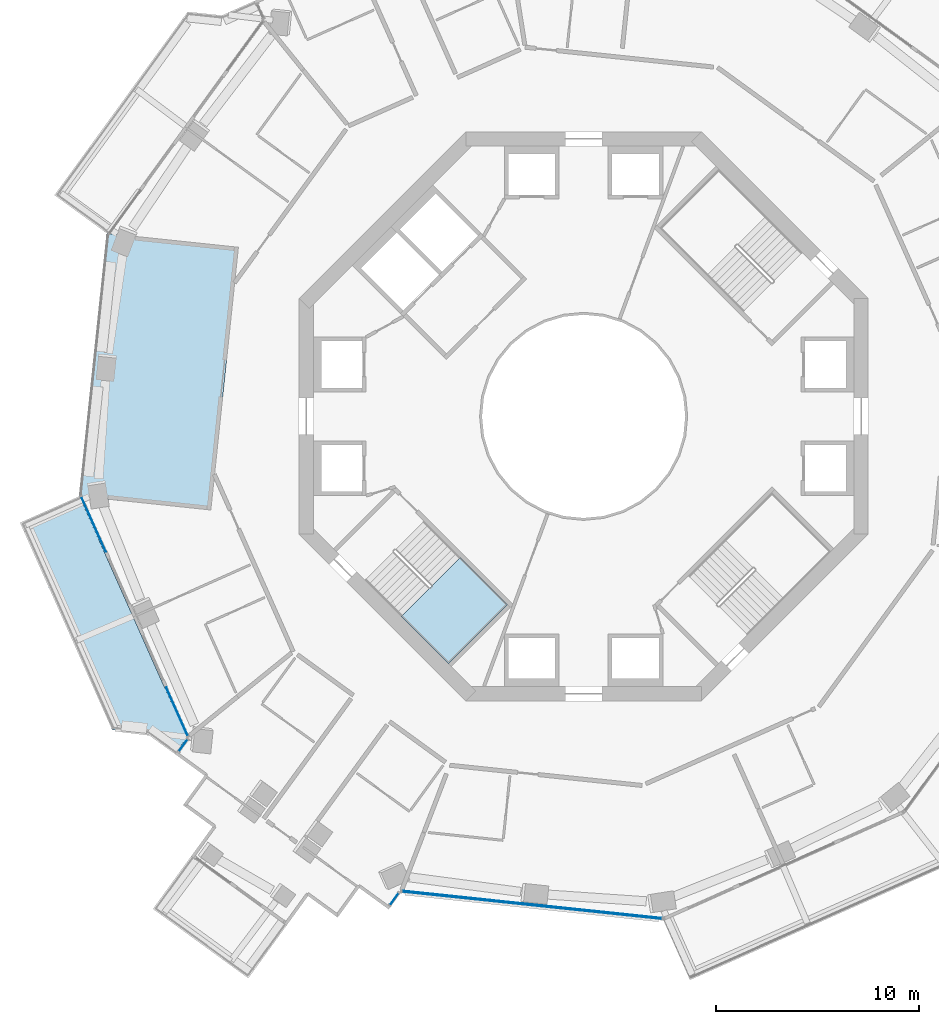
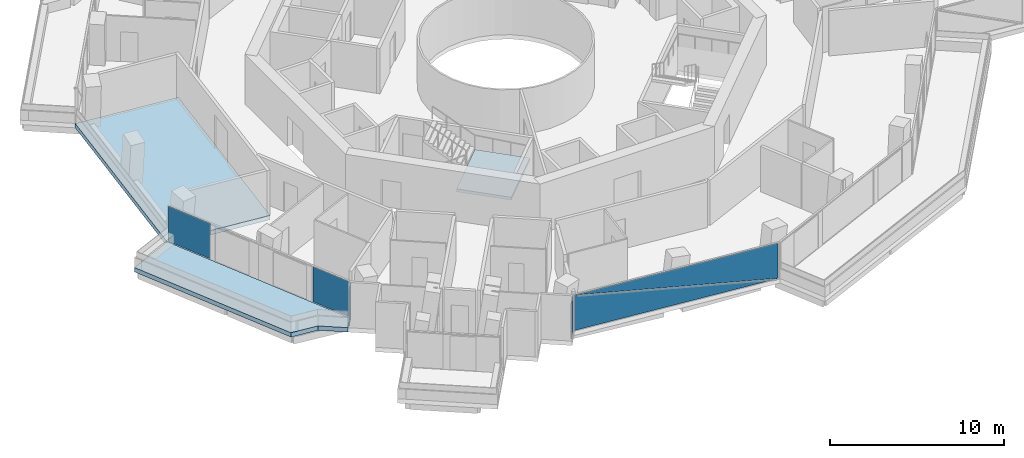
# One storey, part 11 of 23: 6 plates, 3 slabs, 5 elements without a shape of their own.
"""IFC4 building model written with IfcOpenShell, lengths in metres."""

from ifc_helpers import new_model, si_unit, direction, frame, origin, origin_2d, place, context, subcontext, project, spatial, polyline, rectangle, outline, extrude, material, layer, layer_set, type_object, element, aggregate, save


model = new_model("IFC4")

# Units and contexts
model_context = context("Model", 3, precision=1e-05, world=origin(), true_north=direction((0.0, 1.0)))
body_context = subcontext(model_context, "Body", "Model", "MODEL_VIEW")
ifc_project = project(units=[si_unit("LENGTHUNIT", "METRE"), si_unit("AREAUNIT", "SQUARE_METRE"), si_unit("VOLUMEUNIT", "CUBIC_METRE"), si_unit("PLANEANGLEUNIT", "RADIAN"), si_unit("MASSUNIT", "GRAM", prefix="KILO")], contexts=[model_context])

# Site, building, storey
site_placement = place(None, origin())
site = spatial("IfcSite", under=ifc_project, at=site_placement, CompositionType="ELEMENT")
building_placement = place(site_placement, origin())
building = spatial("IfcBuilding", under=site, at=building_placement, Name="Verdalira Terraces Hotel", CompositionType="ELEMENT")
storey_placement = place(building_placement, frame((0.0, 0.0, 133.0)))
storey = spatial("IfcBuildingStorey", under=building, at=storey_placement, Name="L31", CompositionType="ELEMENT", Elevation=133.0)

# Slab
ifc_material_1 = material(Name="Precast concrete C40/50", Category="concrete")
ifc_layer_1 = layer(ifc_material_1, 0.31005859375)
ifc_layer_set_1 = layer_set([ifc_layer_1], Name="Balcony deck 310")
slab_type_1 = type_object("IfcSlabType", Name="Balcony deck 310", PredefinedType="FLOOR", material=ifc_layer_set_1)
slab_1_placement = place(storey_placement, frame((0.0, 0.0, -0.310059)))
element("IfcSlab", 1, at=slab_1_placement, inside=storey, type_object=slab_type_1, Name="Balcony deck", PredefinedType="FLOOR", context=body_context, shape_type="SweptSolid", body=[
    extrude(outline(polyline([(-27.728271, -5.230225), (-23.192139, -15.418457), (-21.506348, -15.595703), (-20.10498, -16.61377), (-19.517334, -15.804688), (-24.804932, -3.928711), (-27.728271, -5.230225)])), origin(), (0.0, 0.0, 1.0), 0.310059),
])

# Curtain wall, plates
ifc_material_2 = material(Name="Clear glass", Category="glass")
ifc_layer_2 = layer(ifc_material_2, 0.14990234375)
ifc_layer_set_2 = layer_set([ifc_layer_2], Name="CW1 curtain wall")
curtain_wall_type_1 = type_object("IfcCurtainWallType", Name="CW1 curtain wall", PredefinedType="NOTDEFINED", material=ifc_layer_set_2)
curtain_wall_1_placement = place(storey_placement, origin())
curtain_wall_1 = element("IfcCurtainWall", 2, at=curtain_wall_1_placement, inside=storey, type_object=curtain_wall_type_1, Name="CW1 curtain wall L31 edge 13", PredefinedType="NOTDEFINED")
ifc_material_3 = material(Name="Clear glass", Category="glass")
ifc_layer_3 = layer(ifc_material_3, 0.028076171875)
ifc_layer_set_3 = layer_set([ifc_layer_3], Name="CW1 glass unit 28")
plate_type_1 = type_object("IfcPlateType", Name="CW1 glass unit 28", PredefinedType="CURTAIN_PANEL", material=ifc_layer_set_3)
plate_1_placement = place(storey_placement, frame((-24.108887, -5.307373, 0.0), z_axis=(0.0, 0.0, 1.0), x_axis=(0.406736643, -0.913545458, 0.0)))
plate_1 = element("IfcPlate", 3, at=plate_1_placement, type_object=plate_type_1, Name="CW1 glass unit", PredefinedType="CURTAIN_PANEL", context=body_context, shape_type="SweptSolid", body=[
    extrude(rectangle(XDim=2.965088, YDim=0.028076, at=origin_2d()), origin(), (0.0, 0.0, 1.0), 2.475098),
])
plate_2_placement = place(storey_placement, frame((-20.00293, -14.529785, 0.0), z_axis=(0.0, 0.0, 1.0), x_axis=(0.406736643, -0.913545458, 0.0)))
plate_2 = element("IfcPlate", 4, at=plate_2_placement, type_object=plate_type_1, Name="CW1 glass unit", PredefinedType="CURTAIN_PANEL", context=body_context, shape_type="SweptSolid", body=[
    extrude(rectangle(XDim=2.604492, YDim=0.028076, at=origin_2d()), origin(), (0.0, 0.0, 1.0), 2.475098),
])
aggregate(curtain_wall_1, [plate_1, plate_2])

curtain_wall_2_placement = place(storey_placement, origin())
curtain_wall_2 = element("IfcCurtainWall", 5, at=curtain_wall_2_placement, inside=storey, type_object=curtain_wall_type_1, Name="CW1 curtain wall L31 edge 25", PredefinedType="NOTDEFINED")
plate_3_placement = place(storey_placement, frame((-2.546387, -24.034912, 1.237549), z_axis=(-0.104528463, -0.994521895, 0.0), x_axis=(0.994521895, -0.104528463, 0.0)))
plate_3 = element("IfcPlate", 6, at=plate_3_placement, type_object=plate_type_1, Name="CW1 glass unit", PredefinedType="CURTAIN_PANEL", context=body_context, shape_type="SweptSolid", body=[
    extrude(outline(polyline([(-6.419922, -1.237549), (6.419922, -1.237549), (-6.419922, 1.237549), (-6.419922, -1.237549)])), origin(), (0.0, 0.0, 1.0), 0.028076),
])
plate_4_placement = place(storey_placement, frame((-2.543457, -24.005859, 1.237549), z_axis=(-0.104528463, -0.994521895, 0.0), x_axis=(0.994521895, -0.104528463, 0.0)))
plate_4 = element("IfcPlate", 7, at=plate_4_placement, type_object=plate_type_1, Name="CW1 glass unit", PredefinedType="CURTAIN_PANEL", context=body_context, shape_type="SweptSolid", body=[
    extrude(outline(polyline([(6.419922, -1.237549), (6.419922, 1.237549), (-6.419922, 1.237549), (6.419922, -1.237549)])), origin(), (0.0, 0.0, 1.0), 0.028076),
])
aggregate(curtain_wall_2, [plate_3, plate_4])

# Curtain wall, plate
ifc_material_4 = material(Name="Clear glass", Category="glass")
ifc_layer_4 = layer(ifc_material_4, 0.14990234375)
ifc_layer_set_4 = layer_set([ifc_layer_4], Name="CW2 curtain wall")
curtain_wall_type_2 = type_object("IfcCurtainWallType", Name="CW2 curtain wall", PredefinedType="NOTDEFINED", material=ifc_layer_set_4)
curtain_wall_3_placement = place(storey_placement, origin())
curtain_wall_3 = element("IfcCurtainWall", 8, at=curtain_wall_3_placement, inside=storey, type_object=curtain_wall_type_2, Name="CW2 curtain wall L31 edge 14", PredefinedType="NOTDEFINED")
ifc_material_5 = material(Name="Clear glass", Category="glass")
ifc_layer_5 = layer(ifc_material_5, 0.031982421875)
ifc_layer_set_5 = layer_set([ifc_layer_5], Name="CW2 glass unit 32")
plate_type_2 = type_object("IfcPlateType", Name="CW2 glass unit 32", PredefinedType="CURTAIN_PANEL", material=ifc_layer_set_5)
plate_5_placement = place(storey_placement, frame((-19.706543, -16.192627, 0.0), z_axis=(0.0, 0.0, 1.0), x_axis=(-0.587785252, -0.809016994, 0.0)))
plate_5 = element("IfcPlate", 9, at=plate_5_placement, type_object=plate_type_2, Name="CW2 glass unit", PredefinedType="CURTAIN_PANEL", context=body_context, shape_type="SweptSolid", body=[
    extrude(rectangle(XDim=0.709961, YDim=0.031982, at=origin_2d()), origin(), (0.0, 0.0, 1.0), 2.475098),
])
aggregate(curtain_wall_3, [plate_5])

curtain_wall_4_placement = place(storey_placement, origin())
curtain_wall_4 = element("IfcCurtainWall", 10, at=curtain_wall_4_placement, inside=storey, type_object=curtain_wall_type_2, Name="CW2 curtain wall L31 edge 24", PredefinedType="NOTDEFINED")
plate_6_placement = place(storey_placement, frame((-9.310547, -23.74585, 0.0), z_axis=(0.0, 0.0, 1.0), x_axis=(0.587785252, 0.809016994, 0.0)))
plate_6 = element("IfcPlate", 11, at=plate_6_placement, type_object=plate_type_2, Name="CW2 glass unit", PredefinedType="CURTAIN_PANEL", context=body_context, shape_type="SweptSolid", body=[
    extrude(rectangle(XDim=0.709961, YDim=0.031982, at=origin_2d()), origin(), (0.0, 0.0, 1.0), 2.475098),
])
aggregate(curtain_wall_4, [plate_6])

# Stair, slab
ifc_material_6 = material(Name="Concrete C40", Category="concrete")
stair_type = type_object("IfcStairType", Name="Core stair 20 risers 2000 mm wide", PredefinedType="HALF_TURN_STAIR", material=ifc_material_6)
stair_placement = place(storey_placement, origin())
stair = element("IfcStair", 12, at=stair_placement, inside=storey, type_object=stair_type, Name="L31 Exit stair ST2", PredefinedType="HALF_TURN_STAIR")
ifc_material_7 = material(Name="Concrete C40", Category="concrete")
ifc_layer_6 = layer(ifc_material_7, 0.199951171875)
ifc_layer_set_6 = layer_set([ifc_layer_6], Name="Core stair landing 200 mm")
slab_type_2 = type_object("IfcSlabType", Name="Core stair landing 200 mm", PredefinedType="LANDING", material=ifc_layer_set_6)
slab_2_placement = place(storey_placement, frame((0.0, 0.0, 1.550049)))
slab_2 = element("IfcSlab", 13, at=slab_2_placement, type_object=slab_type_2, Name="ST2 landing 1", PredefinedType="LANDING", context=body_context, shape_type="SweptSolid", body=[
    extrude(outline(polyline([(-8.966553, -9.842529), (-6.646729, -12.162354), (-3.747559, -9.263184), (-6.067383, -6.943359), (-8.966553, -9.842529)])), origin(), (0.0, 0.0, 1.0), 0.199951),
])
aggregate(stair, [slab_2])

# Slab
ifc_material_8 = material(Name="Concrete C40", Category="concrete")
ifc_layer_7 = layer(ifc_material_8, 0.31005859375)
ifc_layer_set_7 = layer_set([ifc_layer_7], Name="Loggia floor deck 310 C40")
slab_type_3 = type_object("IfcSlabType", Name="Loggia floor deck 310 C40", PredefinedType="FLOOR", material=ifc_layer_set_7)
slab_3_placement = place(storey_placement, frame((0.0, 0.0, -0.310059)))
element("IfcSlab", 14, at=slab_3_placement, inside=storey, type_object=slab_type_3, Name="Loggia deck L31", PredefinedType="FLOOR", context=body_context, shape_type="SweptSolid", body=[
    extrude(outline(polyline([(-16.981689, 8.320557), (-23.446045, 9.0), (-24.804932, -3.928711), (-18.340576, -4.608154), (-16.981689, 8.320557)])), origin(), (0.0, 0.0, 1.0), 0.310059),
])

save(model, "model.ifc")
